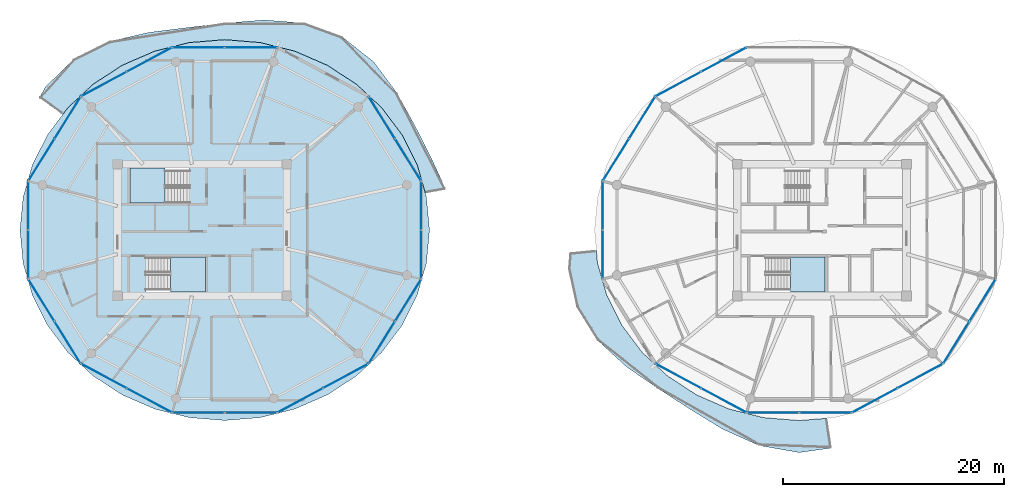
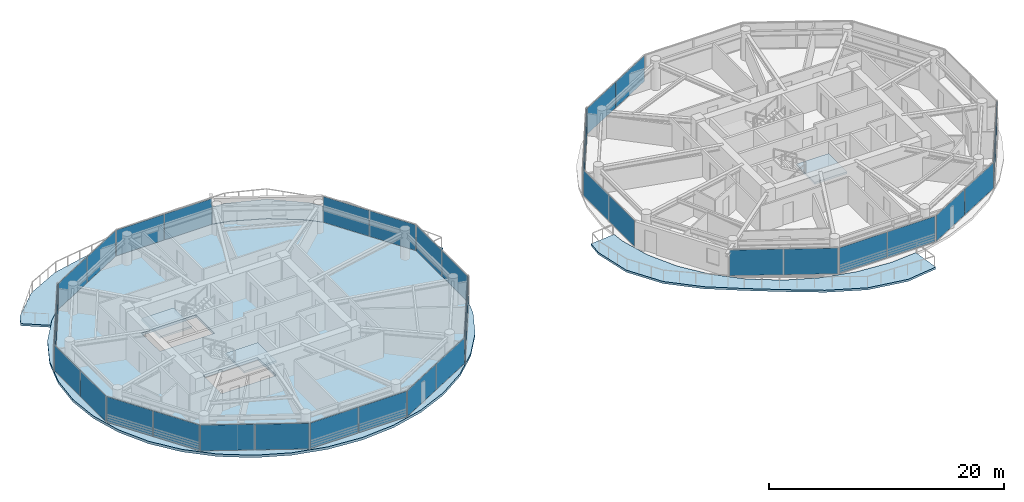
# One storey, part 13 of 23: 36 plates, 6 slabs, 21 elements without a shape of their own.
"""IFC4 building model written with IfcOpenShell, lengths in metres."""

from ifc_helpers import new_model, si_unit, direction, frame, origin, origin_2d, place, context, subcontext, project, spatial, polyline, rectangle, outline, extrude, source, transform, mapped, material, layer, layer_set, type_object, type_shapes, element, aggregate, save


model = new_model("IFC4")

# Units and contexts
model_context = context("Model", 3, precision=1e-05, world=origin(), true_north=direction((0.0, 1.0)))
body_context = subcontext(model_context, "Body", "Model", "MODEL_VIEW")
ifc_project = project(units=[si_unit("LENGTHUNIT", "METRE"), si_unit("AREAUNIT", "SQUARE_METRE"), si_unit("VOLUMEUNIT", "CUBIC_METRE"), si_unit("PLANEANGLEUNIT", "RADIAN"), si_unit("MASSUNIT", "GRAM", prefix="KILO")], contexts=[model_context])

# Site, building, storey
site_placement = place(None, origin())
site = spatial("IfcSite", under=ifc_project, at=site_placement, CompositionType="ELEMENT")
building_placement = place(site_placement, origin())
building = spatial("IfcBuilding", under=site, at=building_placement, Name="Norrkilde Senior Care Towers", CompositionType="ELEMENT")
storey_placement = place(building_placement, frame((0.0, 0.0, 81.0)))
storey = spatial("IfcBuildingStorey", under=building, at=storey_placement, Name="L24", CompositionType="ELEMENT", Elevation=81.0)

# Slabs
ifc_material_1 = material(Name="Concrete C50/60", Category="concrete")
ifc_layer_1 = layer(ifc_material_1, 0.215087890625)
ifc_layer_set_1 = layer_set([ifc_layer_1], Name="Concrete C50/60")
slab_type_1 = type_object("IfcSlabType", Name="Sinusoidal Balcony Ribbon Slab 215", PredefinedType="FLOOR", material=ifc_layer_set_1)
slab_1_placement = place(storey_placement, frame((0.0, 0.0, -0.215087890625)))
element("IfcSlab", 1, at=slab_1_placement, inside=storey, type_object=slab_type_1, Name="L24 Drum W Swirling Senior Balcony 1", PredefinedType="FLOOR", context=body_context, shape_type="SweptSolid", body=[
    extrude(outline(polyline([(-39.60693359375, 15.438720703125), (-36.35400390625, 17.045654296875), (-32.849609375, 17.853759765625), (-29.384521484375, 18.293701171875), (-25.949951171875, 18.697998046875), (-22.402587890625, 18.982421875), (-18.7626953125, 18.70361328125), (-15.33056640625, 17.447021484375), (-12.48486328125, 15.193115234375), (-10.359130859375, 12.336669921875), (-8.724853515625, 9.347412109375), (-7.235595703125, 6.403564453125), (-5.978759765625, 3.676025390625), (-7.826416015625, 3.3359375), (-8.56103515625, 5.884521484375), (-9.92431640625, 8.6025390625), (-11.7744140625, 11.05908203125), (-14.05517578125, 13.1796875), (-16.697509765625, 14.89990234375), (-19.620849609375, 16.16748046875), (-22.736572265625, 16.943603515625), (-25.949951171875, 17.205078125), (-29.163330078125, 16.943603515625), (-32.279052734375, 16.16748046875), (-35.202392578125, 14.89990234375), (-37.8447265625, 13.1796875), (-40.125732421875, 11.05908203125), (-40.587890625, 10.4453125), (-42.688720703125, 11.9443359375), (-42.17626953125, 12.91015625), (-39.60693359375, 15.438720703125)])), origin(), (0.0, 0.0, 1.0), 0.215087890625),
])
slab_2_placement = place(storey_placement, frame((0.0, 0.0, -0.215087890625)))
element("IfcSlab", 2, at=slab_2_placement, inside=storey, type_object=slab_type_1, Name="L24 Drum E Swirling Senior Balcony 1", PredefinedType="FLOOR", context=body_context, shape_type="SweptSolid", body=[
    extrude(outline(polyline([(22.32373046875, -19.46337890625), (19.010009765625, -17.97314453125), (16.02978515625, -16.14404296875), (13.1796875, -14.30224609375), (10.33984375, -12.35400390625), (7.736328125, -9.96142578125), (5.866943359375, -6.939208984375), (5.1142578125, -3.48291015625), (5.2333984375, -2.061767578125), (7.61669921875, -1.82470703125), (7.72607421875, -2.987548828125), (8.56103515625, -5.884521484375), (9.92431640625, -8.6025390625), (11.7744140625, -11.05908203125), (14.05517578125, -13.1796875), (16.697509765625, -14.89990234375), (19.620849609375, -16.16748046875), (22.736572265625, -16.943603515625), (25.949951171875, -17.205078125), (28.47314453125, -16.999755859375), (28.871826171875, -19.687255859375), (25.949951171875, -20.095703125), (22.32373046875, -19.46337890625)])), origin(), (0.0, 0.0, 1.0), 0.215087890625),
])

# Stair, slab
ifc_material_2 = material(Name="Concrete C45/55", Category="concrete")
stair_type = type_object("IfcStairType", Name="Core Protected Dogleg Stair Typical 3050", PredefinedType="HALF_TURN_STAIR", material=ifc_material_2)
stair_1_placement = place(storey_placement, origin())
stair_1 = element("IfcStair", 3, at=stair_1_placement, inside=storey, type_object=stair_type, Name="L24 Protected Core Stair W1", PredefinedType="HALF_TURN_STAIR")
ifc_layer_2 = layer(ifc_material_2, 0.199951171875)
ifc_layer_set_2 = layer_set([ifc_layer_2], Name="Concrete C45/55")
slab_type_2 = type_object("IfcSlabType", Name="Stair Landing Slab 200", PredefinedType="LANDING", material=ifc_layer_set_2)
slab_3_placement = place(storey_placement, frame((0.0, 0.0, 1.324951171875)))
slab_3 = element("IfcSlab", 4, at=slab_3_placement, type_object=slab_type_2, Name="ST-W1 landing 1", PredefinedType="LANDING", context=body_context, shape_type="SweptSolid", body=[
    extrude(outline(polyline([(-31.340087890625, 5.590087890625), (-34.5, 5.590087890625), (-34.5, 2.449951171875), (-31.340087890625, 2.449951171875), (-31.340087890625, 5.590087890625)])), origin(), (0.0, 0.0, 1.0), 0.199951171875),
])
aggregate(stair_1, [slab_3])

stair_2_placement = place(storey_placement, origin())
stair_2 = element("IfcStair", 5, at=stair_2_placement, inside=storey, type_object=stair_type, Name="L24 Protected Core Stair W2", PredefinedType="HALF_TURN_STAIR")
slab_4_placement = place(storey_placement, frame((0.0, 0.0, 1.324951171875)))
slab_4 = element("IfcSlab", 6, at=slab_4_placement, type_object=slab_type_2, Name="ST-W2 landing 1", PredefinedType="LANDING", context=body_context, shape_type="SweptSolid", body=[
    extrude(outline(polyline([(-30.860107421875, -5.590087890625), (-27.699951171875, -5.590087890625), (-27.699951171875, -2.449951171875), (-30.860107421875, -2.449951171875), (-30.860107421875, -5.590087890625)])), origin(), (0.0, 0.0, 1.0), 0.199951171875),
])
aggregate(stair_2, [slab_4])

stair_3_placement = place(storey_placement, origin())
stair_3 = element("IfcStair", 7, at=stair_3_placement, inside=storey, type_object=stair_type, Name="L24 Protected Core Stair E2", PredefinedType="HALF_TURN_STAIR")
slab_5_placement = place(storey_placement, frame((0.0, 0.0, 1.324951171875)))
slab_5 = element("IfcSlab", 8, at=slab_5_placement, type_object=slab_type_2, Name="ST-E2 landing 1", PredefinedType="LANDING", context=body_context, shape_type="SweptSolid", body=[
    extrude(outline(polyline([(25.139892578125, -5.590087890625), (28.300048828125, -5.590087890625), (28.300048828125, -2.449951171875), (25.139892578125, -2.449951171875), (25.139892578125, -5.590087890625)])), origin(), (0.0, 0.0, 1.0), 0.199951171875),
])
aggregate(stair_3, [slab_5])

# Slab
ifc_layer_3 = layer(ifc_material_1, 0.260009765625)
ifc_layer_set_3 = layer_set([ifc_layer_3], Name="Concrete C50/60")
slab_type_3 = type_object("IfcSlabType", Name="Tower Care Floor Slab 260", PredefinedType="FLOOR", material=ifc_layer_set_3)
slab_6_placement = place(storey_placement, frame((0.0, 0.0, -0.260009765625)))
element("IfcSlab", 9, at=slab_6_placement, inside=storey, type_object=slab_type_3, Name="L24 Drum W Structural Floor Slab", PredefinedType="FLOOR", context=body_context, shape_type="SweptSolid", body=[
    extrude(outline(polyline([(-8.565673828125, -5.8828125), (-9.928466796875, -8.60009765625), (-11.778076171875, -11.055908203125), (-14.058349609375, -13.176025390625), (-16.699951171875, -14.895751953125), (-19.62255859375, -16.16259765625), (-22.737548828125, -16.938720703125), (-25.949951171875, -17.199951171875), (-29.16259765625, -16.938720703125), (-32.27734375, -16.16259765625), (-35.199951171875, -14.895751953125), (-37.841552734375, -13.176025390625), (-40.121826171875, -11.055908203125), (-41.971435546875, -8.60009765625), (-43.334228515625, -5.8828125), (-44.1689453125, -2.98681640625), (-44.449951171875, 0.0), (-44.1689453125, 2.98681640625), (-43.334228515625, 5.8828125), (-41.971435546875, 8.60009765625), (-40.121826171875, 11.055908203125), (-37.841552734375, 13.176025390625), (-35.199951171875, 14.895751953125), (-32.27734375, 16.16259765625), (-29.16259765625, 16.938720703125), (-25.949951171875, 17.199951171875), (-22.737548828125, 16.938720703125), (-19.62255859375, 16.16259765625), (-16.699951171875, 14.895751953125), (-14.058349609375, 13.176025390625), (-11.778076171875, 11.055908203125), (-9.928466796875, 8.60009765625), (-8.565673828125, 5.8828125), (-7.73095703125, 2.98681640625), (-7.449951171875, 0.0), (-7.73095703125, -2.98681640625), (-8.565673828125, -5.8828125)]), holes=[polyline([(-34.48193359375, 2.468017578125), (-29.117919921875, 2.468017578125), (-29.117919921875, 5.590087890625), (-34.48193359375, 5.590087890625), (-34.48193359375, 2.468017578125)]), polyline([(-27.718017578125, -5.590087890625), (-27.718017578125, -2.468017578125), (-33.08203125, -2.468017578125), (-33.08203125, -5.590087890625), (-27.718017578125, -5.590087890625)])]), origin(), (0.0, 0.0, 1.0), 0.260009765625),
])

# Curtain wall, plates
ifc_material_3 = material(Name="Triple Low-E Insulated Glazing", Category="glass")
ifc_layer_4 = layer(ifc_material_3, 0.195068359375)
ifc_layer_set_4 = layer_set([ifc_layer_4], Name="Triple Low-E Insulated Glazing")
curtain_wall_type = type_object("IfcCurtainWallType", Name="CW3 Zone 2 Assisted Living Curtain Wall", PredefinedType="NOTDEFINED", material=ifc_layer_set_4)
curtain_wall_1_placement = place(storey_placement, origin())
curtain_wall_1 = element("IfcCurtainWall", 10, at=curtain_wall_1_placement, inside=storey, type_object=curtain_wall_type, Name="L24 Drum W Curtain Wall 00", PredefinedType="NOTDEFINED")
ifc_layer_5 = layer(ifc_material_3, 0.035888671875)
ifc_layer_set_5 = layer_set([ifc_layer_5], Name="Triple Low-E Insulated Glazing")
plate_type = type_object("IfcPlateType", Name="Triple Low-E Vision Curtain Panel 36", PredefinedType="CURTAIN_PANEL", material=ifc_layer_set_5)
shared_shape_1 = source(origin(), body_context, "Body", "SweptSolid", [
    extrude(rectangle(XDim=4.40966796875, YDim=0.035888671875, at=origin_2d()), origin(), (0.0, 0.0, 1.0), 2.669921875),
])
plate_1_placement = place(storey_placement, frame((-11.755615234375, 10.1494140625, 0.06005859375), z_axis=(0.0, 0.0, 1.0), x_axis=(0.527733228002, -0.849410171862, 0.0)))
plate_1 = element("IfcPlate", 11, at=plate_1_placement, type_object=plate_type, Name="CW-3 panel 1.1", PredefinedType="CURTAIN_PANEL", context=body_context, shape_type="MappedRepresentation", body=[
    mapped(shared_shape_1, transform((0.0, 0.0, 0.0), x_axis=(1.0, 0.0, 0.0), y_axis=(0.0, 1.0, 0.0), z_axis=(0.0, 0.0, 1.0), scale=1.0)),
])
plate_2_placement = place(storey_placement, frame((-9.39404296875, 6.3486328125, 0.06005859375), z_axis=(0.0, 0.0, 1.0), x_axis=(0.527733228002, -0.849410171862, 0.0)))
plate_2 = element("IfcPlate", 12, at=plate_2_placement, type_object=plate_type, Name="CW-3 panel 2.1", PredefinedType="CURTAIN_PANEL", context=body_context, shape_type="MappedRepresentation", body=[
    mapped(shared_shape_1, transform((0.0, 0.0, 0.0), x_axis=(1.0, 0.0, 0.0), y_axis=(0.0, 1.0, 0.0), z_axis=(0.0, 0.0, 1.0), scale=1.0)),
])
aggregate(curtain_wall_1, [plate_1, plate_2])

curtain_wall_2_placement = place(storey_placement, origin())
curtain_wall_2 = element("IfcCurtainWall", 13, at=curtain_wall_2_placement, inside=storey, type_object=curtain_wall_type, Name="L24 Drum W Curtain Wall 04", PredefinedType="NOTDEFINED")
plate_3_placement = place(storey_placement, frame((-42.505859375, 6.3486328125, 0.06005859375), z_axis=(0.0, 0.0, 1.0), x_axis=(0.527733228002, 0.849410171862, 0.0)))
plate_3 = element("IfcPlate", 14, at=plate_3_placement, type_object=plate_type, Name="CW-3 panel 1.1", PredefinedType="CURTAIN_PANEL", context=body_context, shape_type="MappedRepresentation", body=[
    mapped(shared_shape_1, transform((0.0, 0.0, 0.0), x_axis=(1.0, 0.0, 0.0), y_axis=(0.0, 1.0, 0.0), z_axis=(0.0, 0.0, 1.0), scale=1.0)),
])
plate_4_placement = place(storey_placement, frame((-40.14453125, 10.1494140625, 0.06005859375), z_axis=(0.0, 0.0, 1.0), x_axis=(0.527733228002, 0.849410171862, 0.0)))
plate_4 = element("IfcPlate", 15, at=plate_4_placement, type_object=plate_type, Name="CW-3 panel 2.1", PredefinedType="CURTAIN_PANEL", context=body_context, shape_type="MappedRepresentation", body=[
    mapped(shared_shape_1, transform((0.0, 0.0, 0.0), x_axis=(1.0, 0.0, 0.0), y_axis=(0.0, 1.0, 0.0), z_axis=(0.0, 0.0, 1.0), scale=1.0)),
])
aggregate(curtain_wall_2, [plate_3, plate_4])

curtain_wall_3_placement = place(storey_placement, origin())
curtain_wall_3 = element("IfcCurtainWall", 16, at=curtain_wall_3_placement, inside=storey, type_object=curtain_wall_type, Name="L24 Drum W Curtain Wall 06", PredefinedType="NOTDEFINED")
plate_5_placement = place(storey_placement, frame((-40.14453125, -10.1494140625, 0.06005859375), z_axis=(0.0, 0.0, 1.0), x_axis=(-0.527733228002, 0.849410171862, 0.0)))
plate_5 = element("IfcPlate", 17, at=plate_5_placement, type_object=plate_type, Name="CW-3 panel 1.1", PredefinedType="CURTAIN_PANEL", context=body_context, shape_type="MappedRepresentation", body=[
    mapped(shared_shape_1, transform((0.0, 0.0, 0.0), x_axis=(1.0, 0.0, 0.0), y_axis=(0.0, 1.0, 0.0), z_axis=(0.0, 0.0, 1.0), scale=1.0)),
])
plate_6_placement = place(storey_placement, frame((-42.505859375, -6.3486328125, 0.06005859375), z_axis=(0.0, 0.0, 1.0), x_axis=(-0.527733228002, 0.849410171862, 0.0)))
plate_6 = element("IfcPlate", 18, at=plate_6_placement, type_object=plate_type, Name="CW-3 panel 2.1", PredefinedType="CURTAIN_PANEL", context=body_context, shape_type="MappedRepresentation", body=[
    mapped(shared_shape_1, transform((0.0, 0.0, 0.0), x_axis=(1.0, 0.0, 0.0), y_axis=(0.0, 1.0, 0.0), z_axis=(0.0, 0.0, 1.0), scale=1.0)),
])
aggregate(curtain_wall_3, [plate_5, plate_6])

curtain_wall_4_placement = place(storey_placement, origin())
curtain_wall_4 = element("IfcCurtainWall", 19, at=curtain_wall_4_placement, inside=storey, type_object=curtain_wall_type, Name="L24 Drum W Curtain Wall 10", PredefinedType="NOTDEFINED")
plate_7_placement = place(storey_placement, frame((-9.39404296875, -6.3486328125, 0.06005859375), z_axis=(0.0, 0.0, 1.0), x_axis=(-0.527733228002, -0.849410171862, 0.0)))
plate_7 = element("IfcPlate", 20, at=plate_7_placement, type_object=plate_type, Name="CW-3 panel 1.1", PredefinedType="CURTAIN_PANEL", context=body_context, shape_type="MappedRepresentation", body=[
    mapped(shared_shape_1, transform((0.0, 0.0, 0.0), x_axis=(1.0, 0.0, 0.0), y_axis=(0.0, 1.0, 0.0), z_axis=(0.0, 0.0, 1.0), scale=1.0)),
])
plate_8_placement = place(storey_placement, frame((-11.755615234375, -10.1494140625, 0.06005859375), z_axis=(0.0, 0.0, 1.0), x_axis=(-0.527733228002, -0.849410171862, 0.0)))
plate_8 = element("IfcPlate", 21, at=plate_8_placement, type_object=plate_type, Name="CW-3 panel 2.1", PredefinedType="CURTAIN_PANEL", context=body_context, shape_type="MappedRepresentation", body=[
    mapped(shared_shape_1, transform((0.0, 0.0, 0.0), x_axis=(1.0, 0.0, 0.0), y_axis=(0.0, 1.0, 0.0), z_axis=(0.0, 0.0, 1.0), scale=1.0)),
])
aggregate(curtain_wall_4, [plate_7, plate_8])

curtain_wall_5_placement = place(storey_placement, origin())
curtain_wall_5 = element("IfcCurtainWall", 22, at=curtain_wall_5_placement, inside=storey, type_object=curtain_wall_type, Name="L24 Drum E Curtain Wall 04", PredefinedType="NOTDEFINED")
plate_9_placement = place(storey_placement, frame((9.39404296875, 6.3486328125, 0.06005859375), z_axis=(0.0, 0.0, 1.0), x_axis=(0.527733228002, 0.849410171862, 0.0)))
plate_9 = element("IfcPlate", 23, at=plate_9_placement, type_object=plate_type, Name="CW-3 panel 1.1", PredefinedType="CURTAIN_PANEL", context=body_context, shape_type="MappedRepresentation", body=[
    mapped(shared_shape_1, transform((0.0, 0.0, 0.0), x_axis=(1.0, 0.0, 0.0), y_axis=(0.0, 1.0, 0.0), z_axis=(0.0, 0.0, 1.0), scale=1.0)),
])
plate_10_placement = place(storey_placement, frame((11.755615234375, 10.1494140625, 0.06005859375), z_axis=(0.0, 0.0, 1.0), x_axis=(0.527733228002, 0.849410171862, 0.0)))
plate_10 = element("IfcPlate", 24, at=plate_10_placement, type_object=plate_type, Name="CW-3 panel 2.1", PredefinedType="CURTAIN_PANEL", context=body_context, shape_type="MappedRepresentation", body=[
    mapped(shared_shape_1, transform((0.0, 0.0, 0.0), x_axis=(1.0, 0.0, 0.0), y_axis=(0.0, 1.0, 0.0), z_axis=(0.0, 0.0, 1.0), scale=1.0)),
])
aggregate(curtain_wall_5, [plate_9, plate_10])

curtain_wall_6_placement = place(storey_placement, origin())
curtain_wall_6 = element("IfcCurtainWall", 25, at=curtain_wall_6_placement, inside=storey, type_object=curtain_wall_type, Name="L24 Drum E Curtain Wall 10", PredefinedType="NOTDEFINED")
plate_11_placement = place(storey_placement, frame((42.505859375, -6.3486328125, 0.06005859375), z_axis=(0.0, 0.0, 1.0), x_axis=(-0.527733228002, -0.849410171862, 0.0)))
plate_11 = element("IfcPlate", 26, at=plate_11_placement, type_object=plate_type, Name="CW-3 panel 1.1", PredefinedType="CURTAIN_PANEL", context=body_context, shape_type="MappedRepresentation", body=[
    mapped(shared_shape_1, transform((0.0, 0.0, 0.0), x_axis=(1.0, 0.0, 0.0), y_axis=(0.0, 1.0, 0.0), z_axis=(0.0, 0.0, 1.0), scale=1.0)),
])
plate_12_placement = place(storey_placement, frame((40.14453125, -10.1494140625, 0.06005859375), z_axis=(0.0, 0.0, 1.0), x_axis=(-0.527733228002, -0.849410171862, 0.0)))
plate_12 = element("IfcPlate", 27, at=plate_12_placement, type_object=plate_type, Name="CW-3 panel 2.1", PredefinedType="CURTAIN_PANEL", context=body_context, shape_type="MappedRepresentation", body=[
    mapped(shared_shape_1, transform((0.0, 0.0, 0.0), x_axis=(1.0, 0.0, 0.0), y_axis=(0.0, 1.0, 0.0), z_axis=(0.0, 0.0, 1.0), scale=1.0)),
])
aggregate(curtain_wall_6, [plate_11, plate_12])

curtain_wall_7_placement = place(storey_placement, origin())
curtain_wall_7 = element("IfcCurtainWall", 28, at=curtain_wall_7_placement, inside=storey, type_object=curtain_wall_type, Name="L24 Drum W Curtain Wall 02", PredefinedType="NOTDEFINED")
shared_shape_2 = source(origin(), body_context, "Body", "SweptSolid", [
    extrude(rectangle(XDim=4.65966796875, YDim=0.035888671875, at=origin_2d()), origin(), (0.0, 0.0, 1.0), 2.669921875),
])
plate_13_placement = place(storey_placement, frame((-28.312255859375, 16.498046875, 0.06005859375), z_axis=(0.0, 0.0, 1.0), x_axis=(1.0, 0.0, 0.0)))
plate_13 = element("IfcPlate", 29, at=plate_13_placement, type_object=plate_type, Name="CW-3 panel 1.1", PredefinedType="CURTAIN_PANEL", context=body_context, shape_type="MappedRepresentation", body=[
    mapped(shared_shape_2, transform((0.0, 0.0, 0.0), x_axis=(1.0, 0.0, 0.0), y_axis=(0.0, 1.0, 0.0), z_axis=(0.0, 0.0, 1.0), scale=1.0)),
])
plate_14_placement = place(storey_placement, frame((-23.587646484375, 16.498046875, 0.06005859375), z_axis=(0.0, 0.0, 1.0), x_axis=(1.0, 0.0, 0.0)))
plate_14 = element("IfcPlate", 30, at=plate_14_placement, type_object=plate_type, Name="CW-3 panel 2.1", PredefinedType="CURTAIN_PANEL", context=body_context, shape_type="MappedRepresentation", body=[
    mapped(shared_shape_2, transform((0.0, 0.0, 0.0), x_axis=(1.0, 0.0, 0.0), y_axis=(0.0, 1.0, 0.0), z_axis=(0.0, 0.0, 1.0), scale=1.0)),
])
aggregate(curtain_wall_7, [plate_13, plate_14])

curtain_wall_8_placement = place(storey_placement, origin())
curtain_wall_8 = element("IfcCurtainWall", 31, at=curtain_wall_8_placement, inside=storey, type_object=curtain_wall_type, Name="L24 Drum W Curtain Wall 08", PredefinedType="NOTDEFINED")
plate_15_placement = place(storey_placement, frame((-23.587646484375, -16.498046875, 0.06005859375), z_axis=(0.0, 0.0, 1.0), x_axis=(-1.0, 0.0, 0.0)))
plate_15 = element("IfcPlate", 32, at=plate_15_placement, type_object=plate_type, Name="CW-3 panel 1.1", PredefinedType="CURTAIN_PANEL", context=body_context, shape_type="MappedRepresentation", body=[
    mapped(shared_shape_2, transform((0.0, 0.0, 0.0), x_axis=(1.0, 0.0, 0.0), y_axis=(0.0, 1.0, 0.0), z_axis=(0.0, 0.0, 1.0), scale=1.0)),
])
plate_16_placement = place(storey_placement, frame((-28.312255859375, -16.498046875, 0.06005859375), z_axis=(0.0, 0.0, 1.0), x_axis=(-1.0, 0.0, 0.0)))
plate_16 = element("IfcPlate", 33, at=plate_16_placement, type_object=plate_type, Name="CW-3 panel 2.1", PredefinedType="CURTAIN_PANEL", context=body_context, shape_type="MappedRepresentation", body=[
    mapped(shared_shape_2, transform((0.0, 0.0, 0.0), x_axis=(1.0, 0.0, 0.0), y_axis=(0.0, 1.0, 0.0), z_axis=(0.0, 0.0, 1.0), scale=1.0)),
])
aggregate(curtain_wall_8, [plate_15, plate_16])

curtain_wall_9_placement = place(storey_placement, origin())
curtain_wall_9 = element("IfcCurtainWall", 34, at=curtain_wall_9_placement, inside=storey, type_object=curtain_wall_type, Name="L24 Drum E Curtain Wall 08", PredefinedType="NOTDEFINED")
plate_17_placement = place(storey_placement, frame((28.312255859375, -16.498046875, 0.06005859375), z_axis=(0.0, 0.0, 1.0), x_axis=(-1.0, 0.0, 0.0)))
plate_17 = element("IfcPlate", 35, at=plate_17_placement, type_object=plate_type, Name="CW-3 panel 1.1", PredefinedType="CURTAIN_PANEL", context=body_context, shape_type="MappedRepresentation", body=[
    mapped(shared_shape_2, transform((0.0, 0.0, 0.0), x_axis=(1.0, 0.0, 0.0), y_axis=(0.0, 1.0, 0.0), z_axis=(0.0, 0.0, 1.0), scale=1.0)),
])
plate_18_placement = place(storey_placement, frame((23.587646484375, -16.498046875, 0.06005859375), z_axis=(0.0, 0.0, 1.0), x_axis=(-1.0, 0.0, 0.0)))
plate_18 = element("IfcPlate", 36, at=plate_18_placement, type_object=plate_type, Name="CW-3 panel 2.1", PredefinedType="CURTAIN_PANEL", context=body_context, shape_type="MappedRepresentation", body=[
    mapped(shared_shape_2, transform((0.0, 0.0, 0.0), x_axis=(1.0, 0.0, 0.0), y_axis=(0.0, 1.0, 0.0), z_axis=(0.0, 0.0, 1.0), scale=1.0)),
])
aggregate(curtain_wall_9, [plate_17, plate_18])

curtain_wall_10_placement = place(storey_placement, origin())
curtain_wall_10 = element("IfcCurtainWall", 37, at=curtain_wall_10_placement, inside=storey, type_object=curtain_wall_type, Name="L24 Drum W Curtain Wall 03", PredefinedType="NOTDEFINED")
shared_shape_3 = source(origin(), body_context, "Body", "SweptSolid", [
    extrude(rectangle(XDim=4.57763671875, YDim=0.035888671875, at=origin_2d()), origin(), (0.0, 0.0, 1.0), 2.669921875),
])
plate_19_placement = place(storey_placement, frame((-36.872314453125, 13.190185546875, 0.06005859375), z_axis=(0.0, 0.0, 1.0), x_axis=(0.881186184668, 0.472769402511, 0.0)))
plate_19 = element("IfcPlate", 38, at=plate_19_placement, type_object=plate_type, Name="CW-3 panel 1.1", PredefinedType="CURTAIN_PANEL", context=body_context, shape_type="MappedRepresentation", body=[
    mapped(shared_shape_3, transform((0.0, 0.0, 0.0), x_axis=(1.0, 0.0, 0.0), y_axis=(0.0, 1.0, 0.0), z_axis=(0.0, 0.0, 1.0), scale=1.0)),
])
plate_20_placement = place(storey_placement, frame((-32.78125, 15.38525390625, 0.06005859375), z_axis=(0.0, 0.0, 1.0), x_axis=(0.881186184668, 0.472769402511, 0.0)))
plate_20 = element("IfcPlate", 39, at=plate_20_placement, type_object=plate_type, Name="CW-3 panel 2.1", PredefinedType="CURTAIN_PANEL", context=body_context, shape_type="MappedRepresentation", body=[
    mapped(shared_shape_3, transform((0.0, 0.0, 0.0), x_axis=(1.0, 0.0, 0.0), y_axis=(0.0, 1.0, 0.0), z_axis=(0.0, 0.0, 1.0), scale=1.0)),
])
aggregate(curtain_wall_10, [plate_19, plate_20])

curtain_wall_11_placement = place(storey_placement, origin())
curtain_wall_11 = element("IfcCurtainWall", 40, at=curtain_wall_11_placement, inside=storey, type_object=curtain_wall_type, Name="L24 Drum W Curtain Wall 07", PredefinedType="NOTDEFINED")
plate_21_placement = place(storey_placement, frame((-32.78125, -15.38525390625, 0.06005859375), z_axis=(0.0, 0.0, 1.0), x_axis=(-0.881186184668, 0.472769402511, 0.0)))
plate_21 = element("IfcPlate", 41, at=plate_21_placement, type_object=plate_type, Name="CW-3 panel 1.1", PredefinedType="CURTAIN_PANEL", context=body_context, shape_type="MappedRepresentation", body=[
    mapped(shared_shape_3, transform((0.0, 0.0, 0.0), x_axis=(1.0, 0.0, 0.0), y_axis=(0.0, 1.0, 0.0), z_axis=(0.0, 0.0, 1.0), scale=1.0)),
])
plate_22_placement = place(storey_placement, frame((-36.872314453125, -13.190185546875, 0.06005859375), z_axis=(0.0, 0.0, 1.0), x_axis=(-0.881186184668, 0.472769402511, 0.0)))
plate_22 = element("IfcPlate", 42, at=plate_22_placement, type_object=plate_type, Name="CW-3 panel 2.1", PredefinedType="CURTAIN_PANEL", context=body_context, shape_type="MappedRepresentation", body=[
    mapped(shared_shape_3, transform((0.0, 0.0, 0.0), x_axis=(1.0, 0.0, 0.0), y_axis=(0.0, 1.0, 0.0), z_axis=(0.0, 0.0, 1.0), scale=1.0)),
])
aggregate(curtain_wall_11, [plate_21, plate_22])

curtain_wall_12_placement = place(storey_placement, origin())
curtain_wall_12 = element("IfcCurtainWall", 43, at=curtain_wall_12_placement, inside=storey, type_object=curtain_wall_type, Name="L24 Drum W Curtain Wall 09", PredefinedType="NOTDEFINED")
plate_23_placement = place(storey_placement, frame((-15.027587890625, -13.190185546875, 0.06005859375), z_axis=(0.0, 0.0, 1.0), x_axis=(-0.881186184668, -0.472769402511, 0.0)))
plate_23 = element("IfcPlate", 44, at=plate_23_placement, type_object=plate_type, Name="CW-3 panel 1.1", PredefinedType="CURTAIN_PANEL", context=body_context, shape_type="MappedRepresentation", body=[
    mapped(shared_shape_3, transform((0.0, 0.0, 0.0), x_axis=(1.0, 0.0, 0.0), y_axis=(0.0, 1.0, 0.0), z_axis=(0.0, 0.0, 1.0), scale=1.0)),
])
plate_24_placement = place(storey_placement, frame((-19.11865234375, -15.38525390625, 0.06005859375), z_axis=(0.0, 0.0, 1.0), x_axis=(-0.881186184668, -0.472769402511, 0.0)))
plate_24 = element("IfcPlate", 45, at=plate_24_placement, type_object=plate_type, Name="CW-3 panel 2.1", PredefinedType="CURTAIN_PANEL", context=body_context, shape_type="MappedRepresentation", body=[
    mapped(shared_shape_3, transform((0.0, 0.0, 0.0), x_axis=(1.0, 0.0, 0.0), y_axis=(0.0, 1.0, 0.0), z_axis=(0.0, 0.0, 1.0), scale=1.0)),
])
aggregate(curtain_wall_12, [plate_23, plate_24])

curtain_wall_13_placement = place(storey_placement, origin())
curtain_wall_13 = element("IfcCurtainWall", 46, at=curtain_wall_13_placement, inside=storey, type_object=curtain_wall_type, Name="L24 Drum E Curtain Wall 03", PredefinedType="NOTDEFINED")
plate_25_placement = place(storey_placement, frame((15.027587890625, 13.190185546875, 0.06005859375), z_axis=(0.0, 0.0, 1.0), x_axis=(0.881186184668, 0.472769402511, 0.0)))
plate_25 = element("IfcPlate", 47, at=plate_25_placement, type_object=plate_type, Name="CW-3 panel 1.1", PredefinedType="CURTAIN_PANEL", context=body_context, shape_type="MappedRepresentation", body=[
    mapped(shared_shape_3, transform((0.0, 0.0, 0.0), x_axis=(1.0, 0.0, 0.0), y_axis=(0.0, 1.0, 0.0), z_axis=(0.0, 0.0, 1.0), scale=1.0)),
])
plate_26_placement = place(storey_placement, frame((19.11865234375, 15.38525390625, 0.06005859375), z_axis=(0.0, 0.0, 1.0), x_axis=(0.881186184668, 0.472769402511, 0.0)))
plate_26 = element("IfcPlate", 48, at=plate_26_placement, type_object=plate_type, Name="CW-3 panel 2.1", PredefinedType="CURTAIN_PANEL", context=body_context, shape_type="MappedRepresentation", body=[
    mapped(shared_shape_3, transform((0.0, 0.0, 0.0), x_axis=(1.0, 0.0, 0.0), y_axis=(0.0, 1.0, 0.0), z_axis=(0.0, 0.0, 1.0), scale=1.0)),
])
aggregate(curtain_wall_13, [plate_25, plate_26])

curtain_wall_14_placement = place(storey_placement, origin())
curtain_wall_14 = element("IfcCurtainWall", 49, at=curtain_wall_14_placement, inside=storey, type_object=curtain_wall_type, Name="L24 Drum E Curtain Wall 07", PredefinedType="NOTDEFINED")
plate_27_placement = place(storey_placement, frame((19.11865234375, -15.38525390625, 0.06005859375), z_axis=(0.0, 0.0, 1.0), x_axis=(-0.881186184668, 0.472769402511, 0.0)))
plate_27 = element("IfcPlate", 50, at=plate_27_placement, type_object=plate_type, Name="CW-3 panel 1.1", PredefinedType="CURTAIN_PANEL", context=body_context, shape_type="MappedRepresentation", body=[
    mapped(shared_shape_3, transform((0.0, 0.0, 0.0), x_axis=(1.0, 0.0, 0.0), y_axis=(0.0, 1.0, 0.0), z_axis=(0.0, 0.0, 1.0), scale=1.0)),
])
plate_28_placement = place(storey_placement, frame((15.027587890625, -13.190185546875, 0.06005859375), z_axis=(0.0, 0.0, 1.0), x_axis=(-0.881186184668, 0.472769402511, 0.0)))
plate_28 = element("IfcPlate", 51, at=plate_28_placement, type_object=plate_type, Name="CW-3 panel 2.1", PredefinedType="CURTAIN_PANEL", context=body_context, shape_type="MappedRepresentation", body=[
    mapped(shared_shape_3, transform((0.0, 0.0, 0.0), x_axis=(1.0, 0.0, 0.0), y_axis=(0.0, 1.0, 0.0), z_axis=(0.0, 0.0, 1.0), scale=1.0)),
])
aggregate(curtain_wall_14, [plate_27, plate_28])

curtain_wall_15_placement = place(storey_placement, origin())
curtain_wall_15 = element("IfcCurtainWall", 52, at=curtain_wall_15_placement, inside=storey, type_object=curtain_wall_type, Name="L24 Drum E Curtain Wall 09", PredefinedType="NOTDEFINED")
plate_29_placement = place(storey_placement, frame((36.872314453125, -13.190185546875, 0.06005859375), z_axis=(0.0, 0.0, 1.0), x_axis=(-0.881186184668, -0.472769402511, 0.0)))
plate_29 = element("IfcPlate", 53, at=plate_29_placement, type_object=plate_type, Name="CW-3 panel 1.1", PredefinedType="CURTAIN_PANEL", context=body_context, shape_type="MappedRepresentation", body=[
    mapped(shared_shape_3, transform((0.0, 0.0, 0.0), x_axis=(1.0, 0.0, 0.0), y_axis=(0.0, 1.0, 0.0), z_axis=(0.0, 0.0, 1.0), scale=1.0)),
])
plate_30_placement = place(storey_placement, frame((32.78125, -15.38525390625, 0.06005859375), z_axis=(0.0, 0.0, 1.0), x_axis=(-0.881186184668, -0.472769402511, 0.0)))
plate_30 = element("IfcPlate", 54, at=plate_30_placement, type_object=plate_type, Name="CW-3 panel 2.1", PredefinedType="CURTAIN_PANEL", context=body_context, shape_type="MappedRepresentation", body=[
    mapped(shared_shape_3, transform((0.0, 0.0, 0.0), x_axis=(1.0, 0.0, 0.0), y_axis=(0.0, 1.0, 0.0), z_axis=(0.0, 0.0, 1.0), scale=1.0)),
])
aggregate(curtain_wall_15, [plate_29, plate_30])

curtain_wall_16_placement = place(storey_placement, origin())
curtain_wall_16 = element("IfcCurtainWall", 55, at=curtain_wall_16_placement, inside=storey, type_object=curtain_wall_type, Name="L24 Drum W Curtain Wall 05", PredefinedType="NOTDEFINED")
shared_shape_4 = source(origin(), body_context, "Body", "SweptSolid", [
    extrude(rectangle(XDim=4.3232421875, YDim=0.035888671875, at=origin_2d()), origin(), (0.0, 0.0, 1.0), 2.669921875),
])
type_shapes(plate_type, [shared_shape_1, shared_shape_2, shared_shape_3, shared_shape_4])
plate_31_placement = place(storey_placement, frame((-43.70361328125, -2.194091796875, 0.06005859375), z_axis=(0.0, 0.0, 1.0), x_axis=(0.0, 1.0, 0.0)))
plate_31 = element("IfcPlate", 56, at=plate_31_placement, type_object=plate_type, Name="CW-3 panel 1.1", PredefinedType="CURTAIN_PANEL", context=body_context, shape_type="MappedRepresentation", body=[
    mapped(shared_shape_4, transform((0.0, 0.0, 0.0), x_axis=(1.0, 0.0, 0.0), y_axis=(0.0, 1.0, 0.0), z_axis=(0.0, 0.0, 1.0), scale=1.0)),
])
plate_32_placement = place(storey_placement, frame((-43.70361328125, 2.194091796875, 0.06005859375), z_axis=(0.0, 0.0, 1.0), x_axis=(0.0, 1.0, 0.0)))
plate_32 = element("IfcPlate", 57, at=plate_32_placement, type_object=plate_type, Name="CW-3 panel 2.1", PredefinedType="CURTAIN_PANEL", context=body_context, shape_type="MappedRepresentation", body=[
    mapped(shared_shape_4, transform((0.0, 0.0, 0.0), x_axis=(1.0, 0.0, 0.0), y_axis=(0.0, 1.0, 0.0), z_axis=(0.0, 0.0, 1.0), scale=1.0)),
])
aggregate(curtain_wall_16, [plate_31, plate_32])

curtain_wall_17_placement = place(storey_placement, origin())
curtain_wall_17 = element("IfcCurtainWall", 58, at=curtain_wall_17_placement, inside=storey, type_object=curtain_wall_type, Name="L24 Drum W Curtain Wall 11", PredefinedType="NOTDEFINED")
plate_33_placement = place(storey_placement, frame((-8.1962890625, 2.194091796875, 0.06005859375), z_axis=(0.0, 0.0, 1.0), x_axis=(0.0, -1.0, 0.0)))
plate_33 = element("IfcPlate", 59, at=plate_33_placement, type_object=plate_type, Name="CW-3 panel 1.1", PredefinedType="CURTAIN_PANEL", context=body_context, shape_type="MappedRepresentation", body=[
    mapped(shared_shape_4, transform((0.0, 0.0, 0.0), x_axis=(1.0, 0.0, 0.0), y_axis=(0.0, 1.0, 0.0), z_axis=(0.0, 0.0, 1.0), scale=1.0)),
])
plate_34_placement = place(storey_placement, frame((-8.1962890625, -2.194091796875, 0.06005859375), z_axis=(0.0, 0.0, 1.0), x_axis=(0.0, -1.0, 0.0)))
plate_34 = element("IfcPlate", 60, at=plate_34_placement, type_object=plate_type, Name="CW-3 panel 2.1", PredefinedType="CURTAIN_PANEL", context=body_context, shape_type="MappedRepresentation", body=[
    mapped(shared_shape_4, transform((0.0, 0.0, 0.0), x_axis=(1.0, 0.0, 0.0), y_axis=(0.0, 1.0, 0.0), z_axis=(0.0, 0.0, 1.0), scale=1.0)),
])
aggregate(curtain_wall_17, [plate_33, plate_34])

curtain_wall_18_placement = place(storey_placement, origin())
curtain_wall_18 = element("IfcCurtainWall", 61, at=curtain_wall_18_placement, inside=storey, type_object=curtain_wall_type, Name="L24 Drum E Curtain Wall 05", PredefinedType="NOTDEFINED")
plate_35_placement = place(storey_placement, frame((8.1962890625, -2.194091796875, 0.06005859375), z_axis=(0.0, 0.0, 1.0), x_axis=(0.0, 1.0, 0.0)))
plate_35 = element("IfcPlate", 62, at=plate_35_placement, type_object=plate_type, Name="CW-3 panel 1.1", PredefinedType="CURTAIN_PANEL", context=body_context, shape_type="MappedRepresentation", body=[
    mapped(shared_shape_4, transform((0.0, 0.0, 0.0), x_axis=(1.0, 0.0, 0.0), y_axis=(0.0, 1.0, 0.0), z_axis=(0.0, 0.0, 1.0), scale=1.0)),
])
plate_36_placement = place(storey_placement, frame((8.1962890625, 2.194091796875, 0.06005859375), z_axis=(0.0, 0.0, 1.0), x_axis=(0.0, 1.0, 0.0)))
plate_36 = element("IfcPlate", 63, at=plate_36_placement, type_object=plate_type, Name="CW-3 panel 2.1", PredefinedType="CURTAIN_PANEL", context=body_context, shape_type="MappedRepresentation", body=[
    mapped(shared_shape_4, transform((0.0, 0.0, 0.0), x_axis=(1.0, 0.0, 0.0), y_axis=(0.0, 1.0, 0.0), z_axis=(0.0, 0.0, 1.0), scale=1.0)),
])
aggregate(curtain_wall_18, [plate_35, plate_36])

save(model, "model.ifc")
